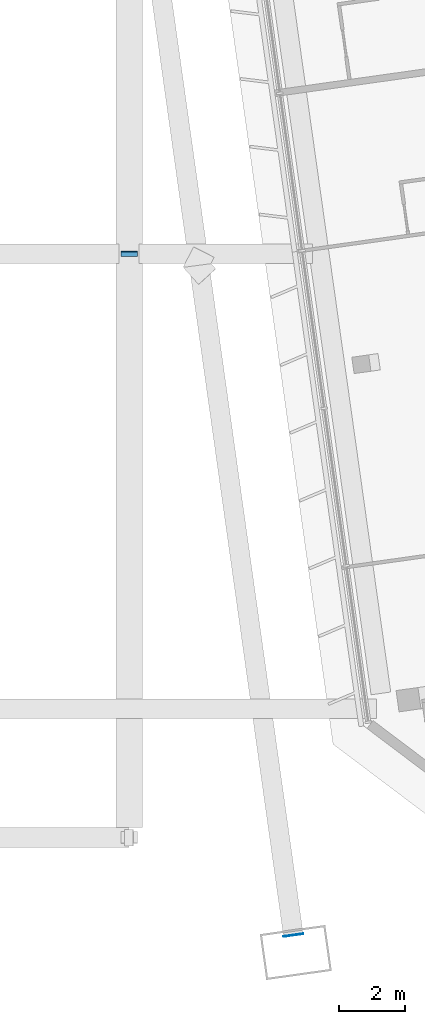
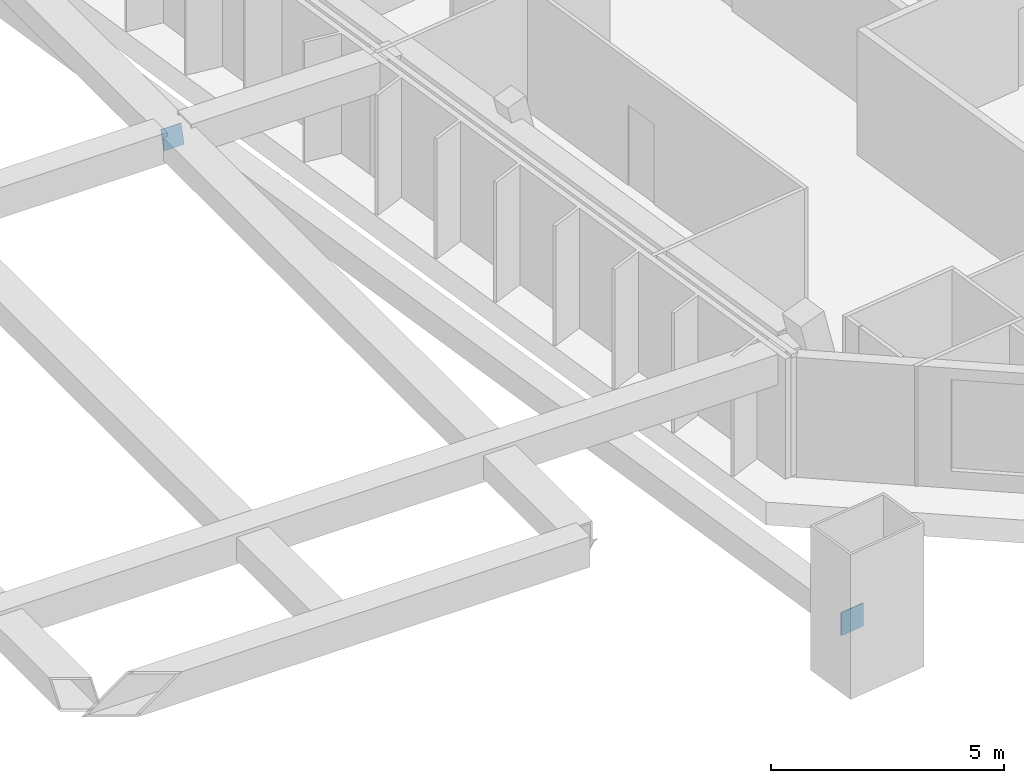
# One storey, part 32 of 36: 2 discrete accessories.
"""IFC4 building model written with IfcOpenShell, lengths in metres."""

import ifcopenshell
import ifcopenshell.guid

model = None  # the IFC model being written
_history = None  # IfcOwnerHistory: only IFC2X3 demands one
_inside = {}  # id of a spatial element -> (the spatial element, [elements in it])
_under = {}  # id of a project, library or spatial element -> (it, [spatial elements below it])
_declared = {}  # id of a project -> (the project, [libraries it declares])
_typed = {}  # id of a type object -> (the type object, [elements of that type])
_made_of = {}  # id of a material, layer set ... -> (it, [elements and type objects made of it])


def new_model(schema):
    """Start an empty IFC model of exactly this schema.

    Asked for "IFC4X3", IfcOpenShell would pick the latest addendum, in which some entities
    have other attributes; the version numbers below select the first issue.
    IFC2X3 requires an IfcOwnerHistory on every rooted entity: one is made here for all.
    """
    global model, _history
    if schema == "IFC4X3":
        model = ifcopenshell.file(schema_version=(4, 3, 0, 0))
    else:
        model = ifcopenshell.file(schema=schema)
    _inside.clear()
    _under.clear()
    _declared.clear()
    _typed.clear()
    _made_of.clear()
    _history = None
    if model.schema == "IFC2X3":
        org = make("IfcOrganization", Name="unknown")
        user = make(
            "IfcPersonAndOrganization",
            ThePerson=make("IfcPerson", FamilyName="unknown"),
            TheOrganization=org,
        )
        app = make(
            "IfcApplication",
            ApplicationDeveloper=org,
            Version="unknown",
            ApplicationFullName="unknown",
            ApplicationIdentifier="unknown",
        )
        _history = make(
            "IfcOwnerHistory",
            OwningUser=user,
            OwningApplication=app,
            ChangeAction="ADDED",
            CreationDate=0,
        )
    return model


def make(cls, **values):
    """One entity of the class cls with the attributes given. An attribute that is None is left unset."""
    return model.create_entity(
        cls, **{name: value for name, value in values.items() if value is not None}
    )


def rooted(cls, **values):
    """An entity with a GlobalId (a new one), such as an element, a storey or a relation."""
    return make(cls, GlobalId=ifcopenshell.guid.new(), OwnerHistory=_history, **values)


def si_unit(unit_type, name, prefix=None):
    """IfcSIUnit, for example si_unit("LENGTHUNIT", "METRE", prefix="MILLI")."""
    return make("IfcSIUnit", UnitType=unit_type, Prefix=prefix, Name=name)


def assignment(units):
    """IfcUnitAssignment: the units of a project."""
    return None if units is None else make("IfcUnitAssignment", Units=units)


def point(xyz):
    """IfcCartesianPoint."""
    return None if xyz is None else make("IfcCartesianPoint", Coordinates=xyz)


def direction(xyz):
    """IfcDirection."""
    return None if xyz is None else make("IfcDirection", DirectionRatios=xyz)


def frame(location, z_axis=None, x_axis=None):
    """IfcAxis2Placement3D, a coordinate frame: its origin and axes. An axis left out is left unset."""
    return make(
        "IfcAxis2Placement3D",
        Location=point(location),
        Axis=direction(z_axis),
        RefDirection=direction(x_axis),
    )


def frame_2d(location, x_axis=None):
    """IfcAxis2Placement2D, a coordinate frame in the plane: its origin and x axis."""
    return make(
        "IfcAxis2Placement2D", Location=point(location), RefDirection=direction(x_axis)
    )


def origin():
    """The frame at (0, 0, 0) with its axes left unset."""
    return frame((0.0, 0.0, 0.0))


def origin_2d():
    """The frame at (0, 0) in the plane with its x axis left unset."""
    return frame_2d((0.0, 0.0))


def place(relative_to, where):
    """IfcLocalPlacement: puts the frame where relative to a parent placement (None: the world)."""
    return make(
        "IfcLocalPlacement", PlacementRelTo=relative_to, RelativePlacement=where
    )


def context(
    kind, dimensions, precision=None, world=None, true_north=None, identifier=None
):
    """IfcGeometricRepresentationContext, for example the 3D "Model" context."""
    return make(
        "IfcGeometricRepresentationContext",
        ContextIdentifier=identifier,
        ContextType=kind,
        CoordinateSpaceDimension=dimensions,
        Precision=precision,
        WorldCoordinateSystem=world,
        TrueNorth=true_north,
    )


def subcontext(parent, identifier, kind, view, scale=None):
    """IfcGeometricRepresentationSubContext, for example "Body" below "Model"."""
    return make(
        "IfcGeometricRepresentationSubContext",
        ContextIdentifier=identifier,
        ContextType=kind,
        ParentContext=parent,
        TargetScale=scale,
        TargetView=view,
    )


def project(units=None, contexts=None):
    """IfcProject with its units and contexts."""
    return rooted(
        "IfcProject",
        Name="project",
        RepresentationContexts=contexts,
        UnitsInContext=assignment(units),
    )


def spatial(cls, under=None, at=None, **own):
    """A site, building, storey or space (cls), placed at a placement, below another one or the project."""
    s = rooted(cls, ObjectPlacement=at, **own)
    if under is not None:
        _under.setdefault(under.id(), (under, []))[1].append(s)
    return s


def profile(cls, at=None, kind="AREA", **sizes):
    """A parametric profile (cls). Its sizes go by their IFC names, for example OverallWidth=200.0."""
    return make(cls, ProfileType=kind, Position=at, **sizes)


def rectangle(**sizes):
    """IfcRectangleProfileDef."""
    return profile("IfcRectangleProfileDef", **sizes)


def extrude(swept, where, along, depth):
    """IfcExtrudedAreaSolid: the profile swept, set in the frame where, extruded along a direction by depth."""
    return make(
        "IfcExtrudedAreaSolid",
        SweptArea=swept,
        Position=where,
        ExtrudedDirection=direction(along),
        Depth=depth,
    )


def shape(context_of_items, identifier, shape_type, items):
    """IfcShapeRepresentation: the items that make up one representation, for example the "Body"."""
    return make(
        "IfcShapeRepresentation",
        ContextOfItems=context_of_items,
        RepresentationIdentifier=identifier,
        RepresentationType=shape_type,
        Items=items,
    )


def material(Name=None, Category=None):
    """IfcMaterial."""
    return make("IfcMaterial", Name=Name, Category=Category)


def material_profile(
    of_material, cross_section, Name=None, Category=None, Priority=None
):
    """IfcMaterialProfile: a cross section and its material."""
    return make(
        "IfcMaterialProfile",
        Name=Name,
        Material=of_material,
        Profile=cross_section,
        Priority=Priority,
        Category=Category,
    )


def profile_set(profiles, Name=None, composite=None):
    """IfcMaterialProfileSet."""
    return make(
        "IfcMaterialProfileSet",
        Name=Name,
        MaterialProfiles=profiles,
        CompositeProfile=composite,
    )


def made_of(thing, what):
    """Note that an element or type object is made of a material, layer set ...; save() writes the relation."""
    if what is not None:
        _made_of.setdefault(what.id(), (what, []))[1].append(thing)
    return thing


def type_object(cls, material=None, **own):
    """A type object (cls), such as IfcWallType, which elements share."""
    return made_of(rooted(cls, **own), material)


def element(
    cls,
    number,
    at=None,
    inside=None,
    cuts=None,
    type_object=None,
    material=None,
    context=None,
    identifier="Body",
    shape_type=None,
    held_by="IfcProductDefinitionShape",
    body=None,
    shapes=None,
    **own,
):
    """One element of the class cls, such as IfcWall. Its Tag is "e" and its number.

    at: its placement. inside: the storey or other place that contains it. cuts: it is an
    opening in that element (IfcRelVoidsElement). A single representation is given by context,
    identifier, shape_type and body (its items); several are given by shapes. held_by: the class
    of the entity that holds the representations. save() writes the other relations.
    """
    e = rooted(cls, Tag="e%d" % number, ObjectPlacement=at, **own)
    if body is not None:
        shapes = [shape(context, identifier, shape_type, body)]
    if shapes is not None:
        e.Representation = make(held_by, Representations=shapes)
    if inside is not None:
        _inside.setdefault(inside.id(), (inside, []))[1].append(e)
    if cuts is not None:
        rooted(
            "IfcRelVoidsElement", RelatingBuildingElement=cuts, RelatedOpeningElement=e
        )
    if type_object is not None:
        _typed.setdefault(type_object.id(), (type_object, []))[1].append(e)
    return made_of(e, material)


def aggregate(whole, parts):
    """IfcRelAggregates: a whole, such as a stair, and the parts it consists of."""
    return rooted("IfcRelAggregates", RelatingObject=whole, RelatedObjects=parts)


def save(model, path):
    """Write the relations noted so far, then the file.

    IfcRelAggregates (storeys below a building ...), IfcRelContainedInSpatialStructure (elements
    in a storey), IfcRelDefinesByType, IfcRelAssociatesMaterial and IfcRelDeclares: one each for
    every whole, place, type object, material and project.
    """
    for whole, parts in _under.values():
        aggregate(whole, parts)
    for where, things in _inside.values():
        rooted(
            "IfcRelContainedInSpatialStructure",
            RelatedElements=things,
            RelatingStructure=where,
        )
    for kind, things in _typed.values():
        rooted("IfcRelDefinesByType", RelatedObjects=things, RelatingType=kind)
    for what, things in _made_of.values():
        rooted("IfcRelAssociatesMaterial", RelatedObjects=things, RelatingMaterial=what)
    for by, libraries in _declared.values():
        rooted("IfcRelDeclares", RelatingContext=by, RelatedDefinitions=libraries)
    model.write(path)


model = new_model("IFC4")

# Units and contexts
model_context = context("Model", 3, precision=1e-05, world=origin(), true_north=direction((0.0, 1.0)))
body_context = subcontext(model_context, "Body", "Model", "MODEL_VIEW")
ifc_project = project(units=[si_unit("LENGTHUNIT", "METRE"), si_unit("AREAUNIT", "SQUARE_METRE"), si_unit("VOLUMEUNIT", "CUBIC_METRE"), si_unit("PLANEANGLEUNIT", "RADIAN"), si_unit("MASSUNIT", "GRAM", prefix="KILO")], contexts=[model_context])

# Site, building, storey
site_placement = place(None, origin())
site = spatial("IfcSite", under=ifc_project, at=site_placement, CompositionType="ELEMENT")
building_placement = place(site_placement, origin())
building = spatial("IfcBuilding", under=site, at=building_placement, Name="Mirante Cascada Hotel Towers", CompositionType="ELEMENT")
storey_placement = place(building_placement, frame((0.0, 0.0, 254.6)))
storey = spatial("IfcBuildingStorey", under=building, at=storey_placement, Name="L61", CompositionType="ELEMENT", Elevation=254.6)

# Discrete accessories
ifc_material_1 = material(Name="Steel ASTM A572 Gr 50", Category="steel")
ifc_material_profile_1 = material_profile(ifc_material_1, rectangle(XDim=0.5, YDim=0.5, at=origin_2d()), Name="Connection plate 500x500x25 ASTM A572 Gr 50")
ifc_profile_set_1 = profile_set([ifc_material_profile_1], Name="Steel ASTM A572 Gr 50")
discrete_accessory_type_1 = type_object("IfcDiscreteAccessoryType", Name="Connection plate 500x500x25 ASTM A572 Gr 50", PredefinedType="BRACKET", material=ifc_profile_set_1)
discrete_accessory_1_placement = place(storey_placement, frame((12.2514, -3.8385, 2.8967), z_axis=(0.0, -0.9644862, 0.2641332), x_axis=(1.0, 0.0, 0.0)))
element("IfcDiscreteAccessory", 1, at=discrete_accessory_1_placement, inside=storey, type_object=discrete_accessory_type_1, Name="Connection plate SP-D5", PredefinedType="BRACKET", context=body_context, shape_type="SweptSolid", body=[
    extrude(rectangle(XDim=0.5, YDim=0.5, at=origin_2d()), origin(), (0.0, 0.0, 1.0), 0.025),
])
ifc_material_2 = material(Name="Steel ASTM A572 Gr 50", Category="steel")
ifc_material_profile_2 = material_profile(ifc_material_2, rectangle(XDim=0.6, YDim=0.6, at=origin_2d()), Name="Connection plate 600x600x25 ASTM A572 Gr 50")
ifc_profile_set_2 = profile_set([ifc_material_profile_2], Name="Steel ASTM A572 Gr 50")
discrete_accessory_type_2 = type_object("IfcDiscreteAccessoryType", Name="Connection plate 600x600x25 ASTM A572 Gr 50", PredefinedType="BRACKET", material=ifc_profile_set_2)
discrete_accessory_2_placement = place(storey_placement, frame((17.2245, -24.4793, 1.0), z_axis=(-0.1397442, 0.9901876, 0.0), x_axis=(-0.9901876, -0.1397442, 0.0)))
element("IfcDiscreteAccessory", 2, at=discrete_accessory_2_placement, inside=storey, type_object=discrete_accessory_type_2, Name="Connection plate NCH", PredefinedType="BRACKET", context=body_context, shape_type="SweptSolid", body=[
    extrude(rectangle(XDim=0.6, YDim=0.6, at=origin_2d()), origin(), (0.0, 0.0, 1.0), 0.025),
])

save(model, "model.ifc")
